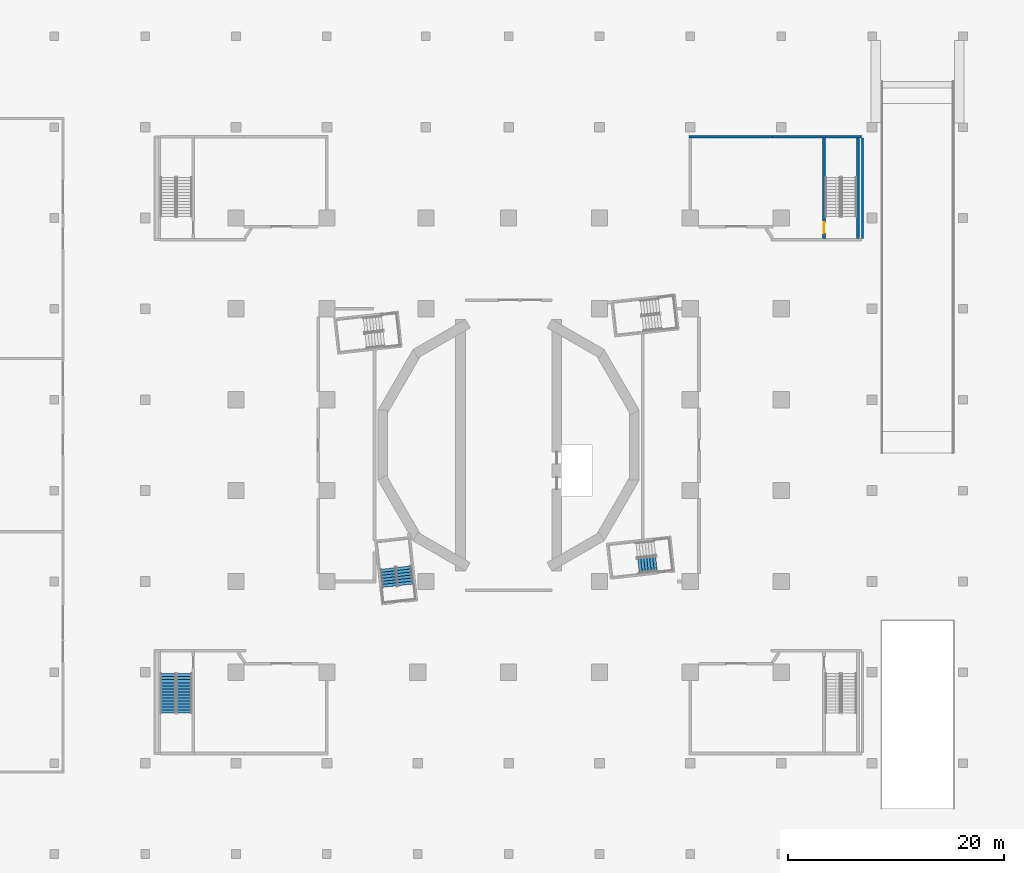
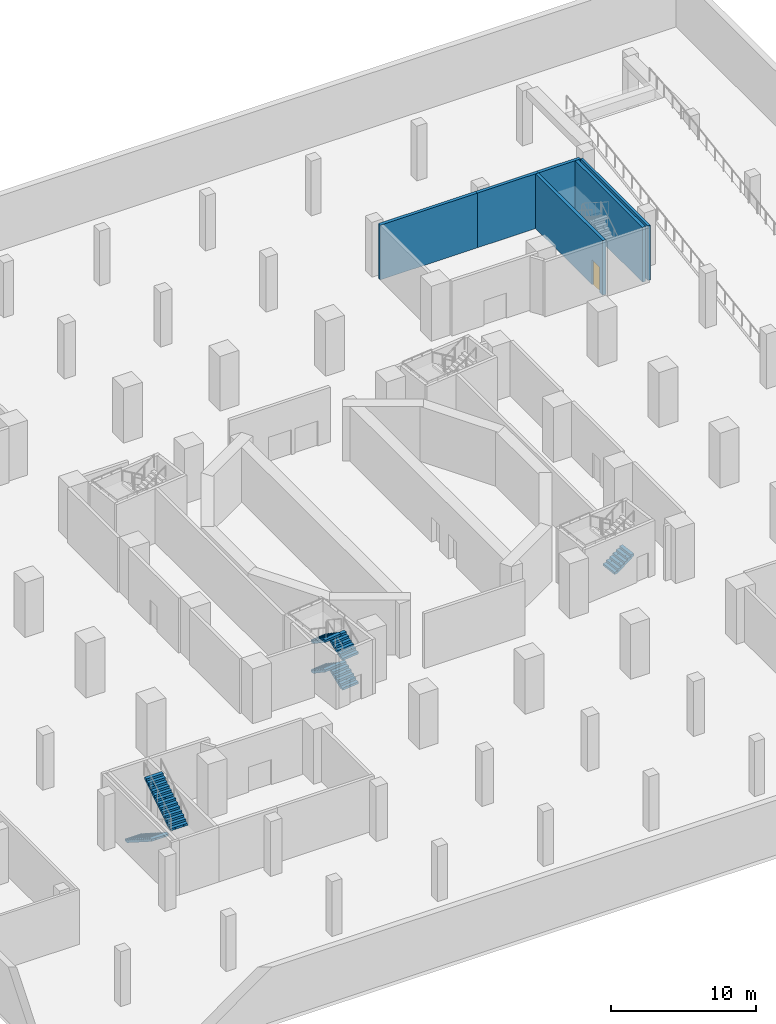
# One storey, part 10 of 20: 7 stair flights, 6 walls, 1 door, 1 opening, 3 elements without a shape of their own.
"""IFC4 building model written with IfcOpenShell, lengths in metres."""

from ifc_helpers import new_model, si_unit, direction, frame, frame_2d, origin, place, context, subcontext, project, spatial, polyline, rectangle, outline, extrude, material, layer, layer_set, type_object, element, fill, aggregate, save


model = new_model("IFC4")

# Units and contexts
model_context = context("Model", 3, precision=1e-05, world=origin(), true_north=direction((0.0, 1.0)))
body_context = subcontext(model_context, "Body", "Model", "MODEL_VIEW")
ifc_project = project(units=[si_unit("LENGTHUNIT", "METRE"), si_unit("AREAUNIT", "SQUARE_METRE"), si_unit("VOLUMEUNIT", "CUBIC_METRE"), si_unit("PLANEANGLEUNIT", "RADIAN"), si_unit("MASSUNIT", "GRAM", prefix="KILO")], contexts=[model_context])

# Site, building, storey
site_placement = place(None, origin())
site = spatial("IfcSite", under=ifc_project, at=site_placement, CompositionType="ELEMENT")
building_placement = place(site_placement, origin())
building = spatial("IfcBuilding", under=site, at=building_placement, Name="Cantera Rosa Tower", CompositionType="ELEMENT")
storey_placement = place(building_placement, frame((0.0, 0.0, -5.0)))
storey = spatial("IfcBuildingStorey", under=building, at=storey_placement, Name="B1", CompositionType="ELEMENT", Elevation=-5.0)

# Walls
ifc_material_1 = material(Name="Masonry blockwork", Category="masonry")
ifc_layer_1 = layer(ifc_material_1, 0.199951171875)
ifc_layer_set_1 = layer_set([ifc_layer_1], Name="Blockwork partition 200")
wall_type_1 = type_object("IfcWallType", Name="Blockwork partition 200", PredefinedType="PARTITIONING", material=ifc_layer_set_1)
wall_1_placement = place(storey_placement, frame((32.699951171875, 19.10009765625, 0.0), z_axis=(0.0, 0.0, 1.0), x_axis=(0.0, 1.0, 0.0)))
element("IfcWall", 1, at=wall_1_placement, inside=storey, type_object=wall_type_1, Name="Partition B1-33", PredefinedType="PARTITIONING", context=body_context, shape_type="SweptSolid", body=[
    extrude(rectangle(XDim=9.2998046875, YDim=0.199951171875, at=frame_2d((4.64990234375, 0.0))), origin(), (0.0, 0.0, 1.0), 4.60009765625),
])
ifc_material_2 = material(Name="Concrete C50/60", Category="concrete")
ifc_layer_2 = layer(ifc_material_2, 0.25)
ifc_layer_set_2 = layer_set([ifc_layer_2], Name="External stair wall 250")
wall_type_2 = type_object("IfcWallType", Name="External stair wall 250", PredefinedType="SOLIDWALL", material=ifc_layer_set_2)
wall_2_placement = place(storey_placement, frame((29.27490234375, 28.5, 0.0), z_axis=(0.0, 0.0, 1.0), x_axis=(1.0, 0.0, 0.0)))
element("IfcWall", 2, at=wall_2_placement, inside=storey, type_object=wall_type_2, Name="Stair wall B1-24", PredefinedType="SOLIDWALL", context=body_context, shape_type="SweptSolid", body=[
    extrude(rectangle(XDim=3.3251953125, YDim=0.25, at=frame_2d((1.66259765625, 0.0))), origin(), (0.0, 0.0, 1.0), 4.60009765625),
])
ifc_material_3 = material(Name="Masonry blockwork", Category="masonry")
ifc_layer_3 = layer(ifc_material_3, 0.25)
ifc_layer_set_3 = layer_set([ifc_layer_3], Name="Fire-rated external wall 250")
wall_type_3 = type_object("IfcWallType", Name="Fire-rated external wall 250", PredefinedType="PARTITIONING", material=ifc_layer_set_3)
wall_3_placement = place(storey_placement, frame((16.675048828125, 28.5, 0.0), z_axis=(0.0, 0.0, 1.0), x_axis=(1.0, 0.0, 0.0)))
element("IfcWall", 3, at=wall_3_placement, inside=storey, type_object=wall_type_3, Name="Fire wall B1-22", PredefinedType="PARTITIONING", context=body_context, shape_type="SweptSolid", body=[
    extrude(rectangle(XDim=7.724853515625, YDim=0.25, at=frame_2d((3.8623046875, 0.0))), origin(), (0.0, 0.0, 1.0), 4.60009765625),
])
wall_4_placement = place(storey_placement, frame((24.39990234375, 28.5, 0.0), z_axis=(0.0, 0.0, 1.0), x_axis=(1.0, 0.0, 0.0)))
element("IfcWall", 4, at=wall_4_placement, inside=storey, type_object=wall_type_3, Name="Fire wall B1-23", PredefinedType="PARTITIONING", context=body_context, shape_type="SweptSolid", body=[
    extrude(rectangle(XDim=4.875, YDim=0.25, at=frame_2d((2.4375, 0.0))), origin(), (0.0, 0.0, 1.0), 4.60009765625),
])
ifc_material_4 = material(Name="Concrete C50/60", Category="concrete")
ifc_layer_4 = layer(ifc_material_4, 0.25)
ifc_layer_set_4 = layer_set([ifc_layer_4], Name="RC stair wall 250 C50/60")
wall_type_4 = type_object("IfcWallType", Name="RC stair wall 250", PredefinedType="SOLIDWALL", material=ifc_layer_set_4)
wall_5_placement = place(storey_placement, frame((32.300048828125, 19.125, 0.0), z_axis=(0.0, 0.0, 1.0), x_axis=(0.0, 1.0, 0.0)))
element("IfcWall", 5, at=wall_5_placement, inside=storey, type_object=wall_type_4, Name="Stair wall B1-17", PredefinedType="SOLIDWALL", context=body_context, shape_type="SweptSolid", body=[
    extrude(rectangle(XDim=9.25, YDim=0.25, at=frame_2d((4.625, 0.0))), origin(), (0.0, 0.0, 1.0), 4.60009765625),
])

# Wall, opening, door
wall_6_placement = place(storey_placement, frame((29.14990234375, 19.125, 0.0), z_axis=(0.0, 0.0, 1.0), x_axis=(0.0, 1.0, 0.0)))
wall_6 = element("IfcWall", 6, at=wall_6_placement, inside=storey, type_object=wall_type_4, Name="Stair wall B1-26", PredefinedType="SOLIDWALL", context=body_context, shape_type="SweptSolid", body=[
    extrude(rectangle(XDim=9.25, YDim=0.25, at=frame_2d((4.625, 0.0))), origin(), (0.0, 0.0, 1.0), 4.60009765625),
])
opening_placement = place(wall_6_placement, frame((0.47509765625, 0.0, 0.0)))
opening = element("IfcOpeningElement", 7, at=opening_placement, cuts=wall_6, Name="Opening B1-002", PredefinedType="OPENING", context=body_context, shape_type="SweptSolid", body=[
    extrude(rectangle(XDim=1.0, YDim=2.10009765625, at=frame_2d((0.5, 1.050048828125))), frame((0.0, 0.135009765625, 0.0), z_axis=(0.0, -1.0, 0.0), x_axis=(1.0, 0.0, 0.0)), (0.0, 0.0, 1.0), 0.27001953125),
])
ifc_material_5 = material(Name="Steel S355J2 (EN 10025-2)", Category="steel")
door_type = type_object("IfcDoorType", Name="Fire door 1000x2100 EI 120", OperationType="NOTDEFINED", PredefinedType="DOOR", material=ifc_material_5)
door_placement = place(opening_placement, origin())
door = element("IfcDoor", 8, at=door_placement, inside=storey, type_object=door_type, Name="Door B1-002", OverallHeight=2.10009765625, OverallWidth=1.0, PredefinedType="DOOR", context=body_context, shape_type="SweptSolid", body=[
    extrude(rectangle(XDim=1.0, YDim=2.10009765625, at=frame_2d((0.5, 1.050048828125))), frame((0.0, 0.02490234375, 0.0), z_axis=(0.0, -1.0, 0.0), x_axis=(1.0, 0.0, 0.0)), (0.0, 0.0, 1.0), 0.050048828125),
])
fill(opening, door)

# Stair, stair flights
ifc_material_6 = material(Name="Concrete C35/45", Category="concrete")
stair_type_1 = type_object("IfcStairType", Name="EXIT STAIR 1350 DOGLEG", PredefinedType="HALF_TURN_STAIR", material=ifc_material_6)
stair_1_placement = place(storey_placement, origin())
stair_1 = element("IfcStair", 9, at=stair_1_placement, inside=storey, type_object=stair_type_1, Name="B1 ST-13", PredefinedType="HALF_TURN_STAIR")
ifc_material_7 = material(Name="Concrete C35/45", Category="concrete")
stair_flight_type_1 = type_object("IfcStairFlightType", Name="STAIR FLIGHT 1350 R28x179", PredefinedType="STRAIGHT", material=ifc_material_7)
stair_flight_1_placement = place(storey_placement, frame((-9.500244140625, -12.90869140625, 0.0), z_axis=(0.0, 0.0, 1.0), x_axis=(-0.110312549749, 0.993896947056, 0.0)))
stair_flight_1 = element("IfcStairFlight", 10, at=stair_flight_1_placement, type_object=stair_flight_type_1, Name="ST-13 flight 1", NumberOfRisers=7, NumberOfTreads=6, PredefinedType="STRAIGHT", RiserHeight=0.178571429, TreadLength=0.28, context=body_context, shape_type="SweptSolid", body=[
    extrude(outline(polyline([(0.0, 0.0), (0.0, 0.178466796875), (0.280029296875, 0.178466796875), (0.280029296875, 0.357177734375), (0.56005859375, 0.357177734375), (0.56005859375, 0.53564453125), (0.840087890625, 0.53564453125), (0.840087890625, 0.71435546875), (1.1201171875, 0.71435546875), (1.1201171875, 0.892822265625), (1.39990234375, 0.892822265625), (1.39990234375, 1.071533203125), (1.679931640625, 1.071533203125), (1.679931640625, 1.25), (1.679931640625, 0.8935546875), (0.27880859375, 0.0), (0.0, 0.0)])), frame((0.0, 0.675048828125, 0.0), z_axis=(0.0, -1.0, 0.0), x_axis=(1.0, 0.0, 0.0)), (0.0, 0.0, 1.0), 0.3359375),
    extrude(outline(polyline([(0.0, 0.0), (0.0, 0.178466796875), (0.280029296875, 0.178466796875), (0.280029296875, 0.357177734375), (0.56005859375, 0.357177734375), (0.56005859375, 0.53564453125), (0.840087890625, 0.53564453125), (0.840087890625, 0.71435546875), (1.1201171875, 0.71435546875), (1.1201171875, 0.892822265625), (1.39990234375, 0.892822265625), (1.39990234375, 1.071533203125), (1.679931640625, 1.071533203125), (1.679931640625, 1.25), (1.679931640625, 0.8935546875), (0.27880859375, 0.0), (0.0, 0.0)])), frame((0.0, 0.337158203125, 0.0), z_axis=(0.0, -1.0, 0.0), x_axis=(1.0, 0.0, 0.0)), (0.0, 0.0, 1.0), 0.3359375),
    extrude(outline(polyline([(0.0, 0.0), (0.0, 0.178466796875), (0.280029296875, 0.178466796875), (0.280029296875, 0.357177734375), (0.56005859375, 0.357177734375), (0.56005859375, 0.53564453125), (0.840087890625, 0.53564453125), (0.840087890625, 0.71435546875), (1.1201171875, 0.71435546875), (1.1201171875, 0.892822265625), (1.39990234375, 0.892822265625), (1.39990234375, 1.071533203125), (1.679931640625, 1.071533203125), (1.679931640625, 1.25), (1.679931640625, 0.8935546875), (0.27880859375, 0.0), (0.0, 0.0)])), frame((0.0, -0.000732421875, 0.0), z_axis=(0.0, -1.0, 0.0), x_axis=(1.0, 0.0, 0.0)), (0.0, 0.0, 1.0), 0.3359375),
    extrude(outline(polyline([(0.0, 0.0), (0.0, 0.178466796875), (0.280029296875, 0.178466796875), (0.280029296875, 0.357177734375), (0.56005859375, 0.357177734375), (0.56005859375, 0.53564453125), (0.840087890625, 0.53564453125), (0.840087890625, 0.71435546875), (1.1201171875, 0.71435546875), (1.1201171875, 0.892822265625), (1.39990234375, 0.892822265625), (1.39990234375, 1.071533203125), (1.679931640625, 1.071533203125), (1.679931640625, 1.25), (1.679931640625, 0.8935546875), (0.27880859375, 0.0), (0.0, 0.0)])), frame((0.0, -0.338623046875, 0.0), z_axis=(0.0, -1.0, 0.0), x_axis=(1.0, 0.0, 0.0)), (0.0, 0.0, 1.0), 0.3359375),
])
stair_flight_2_placement = place(storey_placement, frame((-11.17626953125, -11.404541015625, 1.25), z_axis=(0.0, 0.0, 1.0), x_axis=(0.110312549749, -0.993896947056, 0.0)))
stair_flight_2 = element("IfcStairFlight", 11, at=stair_flight_2_placement, type_object=stair_flight_type_1, Name="ST-13 flight 2", NumberOfRisers=7, NumberOfTreads=6, PredefinedType="STRAIGHT", RiserHeight=0.178571429, TreadLength=0.28, context=body_context, shape_type="SweptSolid", body=[
    extrude(outline(polyline([(0.0, 0.0), (0.0, 0.178466796875), (0.280029296875, 0.178466796875), (0.280029296875, 0.357177734375), (0.56005859375, 0.357177734375), (0.56005859375, 0.53564453125), (0.840087890625, 0.53564453125), (0.840087890625, 0.71435546875), (1.1201171875, 0.71435546875), (1.1201171875, 0.892822265625), (1.39990234375, 0.892822265625), (1.39990234375, 1.071533203125), (1.679931640625, 1.071533203125), (1.679931640625, 1.25), (1.679931640625, 0.8935546875), (0.27880859375, 0.0), (0.0, 0.0)])), frame((0.0, 0.675048828125, 0.0), z_axis=(0.0, -1.0, 0.0), x_axis=(1.0, 0.0, 0.0)), (0.0, 0.0, 1.0), 0.3359375),
    extrude(outline(polyline([(0.0, 0.0), (0.0, 0.178466796875), (0.280029296875, 0.178466796875), (0.280029296875, 0.357177734375), (0.56005859375, 0.357177734375), (0.56005859375, 0.53564453125), (0.840087890625, 0.53564453125), (0.840087890625, 0.71435546875), (1.1201171875, 0.71435546875), (1.1201171875, 0.892822265625), (1.39990234375, 0.892822265625), (1.39990234375, 1.071533203125), (1.679931640625, 1.071533203125), (1.679931640625, 1.25), (1.679931640625, 0.8935546875), (0.27880859375, 0.0), (0.0, 0.0)])), frame((0.0, 0.337158203125, 0.0), z_axis=(0.0, -1.0, 0.0), x_axis=(1.0, 0.0, 0.0)), (0.0, 0.0, 1.0), 0.3359375),
    extrude(outline(polyline([(0.0, 0.0), (0.0, 0.178466796875), (0.280029296875, 0.178466796875), (0.280029296875, 0.357177734375), (0.56005859375, 0.357177734375), (0.56005859375, 0.53564453125), (0.840087890625, 0.53564453125), (0.840087890625, 0.71435546875), (1.1201171875, 0.71435546875), (1.1201171875, 0.892822265625), (1.39990234375, 0.892822265625), (1.39990234375, 1.071533203125), (1.679931640625, 1.071533203125), (1.679931640625, 1.25), (1.679931640625, 0.8935546875), (0.27880859375, 0.0), (0.0, 0.0)])), frame((0.0, -0.000732421875, 0.0), z_axis=(0.0, -1.0, 0.0), x_axis=(1.0, 0.0, 0.0)), (0.0, 0.0, 1.0), 0.3359375),
    extrude(outline(polyline([(0.0, 0.0), (0.0, 0.178466796875), (0.280029296875, 0.178466796875), (0.280029296875, 0.357177734375), (0.56005859375, 0.357177734375), (0.56005859375, 0.53564453125), (0.840087890625, 0.53564453125), (0.840087890625, 0.71435546875), (1.1201171875, 0.71435546875), (1.1201171875, 0.892822265625), (1.39990234375, 0.892822265625), (1.39990234375, 1.071533203125), (1.679931640625, 1.071533203125), (1.679931640625, 1.25), (1.679931640625, 0.8935546875), (0.27880859375, 0.0), (0.0, 0.0)])), frame((0.0, -0.338623046875, 0.0), z_axis=(0.0, -1.0, 0.0), x_axis=(1.0, 0.0, 0.0)), (0.0, 0.0, 1.0), 0.3359375),
])
stair_flight_3_placement = place(storey_placement, frame((-9.500244140625, -12.90869140625, 2.5), z_axis=(0.0, 0.0, 1.0), x_axis=(-0.110312549749, 0.993896947056, 0.0)))
stair_flight_3 = element("IfcStairFlight", 12, at=stair_flight_3_placement, type_object=stair_flight_type_1, Name="ST-13 flight 3", NumberOfRisers=7, NumberOfTreads=6, PredefinedType="STRAIGHT", RiserHeight=0.178571429, TreadLength=0.28, context=body_context, shape_type="SweptSolid", body=[
    extrude(outline(polyline([(0.0, 0.0), (0.0, 0.178466796875), (0.280029296875, 0.178466796875), (0.280029296875, 0.357177734375), (0.56005859375, 0.357177734375), (0.56005859375, 0.53564453125), (0.840087890625, 0.53564453125), (0.840087890625, 0.71435546875), (1.1201171875, 0.71435546875), (1.1201171875, 0.892822265625), (1.39990234375, 0.892822265625), (1.39990234375, 1.071533203125), (1.679931640625, 1.071533203125), (1.679931640625, 1.25), (1.679931640625, 0.8935546875), (0.27880859375, 0.0), (0.0, 0.0)])), frame((0.0, 0.675048828125, 0.0), z_axis=(0.0, -1.0, 0.0), x_axis=(1.0, 0.0, 0.0)), (0.0, 0.0, 1.0), 0.3359375),
    extrude(outline(polyline([(0.0, 0.0), (0.0, 0.178466796875), (0.280029296875, 0.178466796875), (0.280029296875, 0.357177734375), (0.56005859375, 0.357177734375), (0.56005859375, 0.53564453125), (0.840087890625, 0.53564453125), (0.840087890625, 0.71435546875), (1.1201171875, 0.71435546875), (1.1201171875, 0.892822265625), (1.39990234375, 0.892822265625), (1.39990234375, 1.071533203125), (1.679931640625, 1.071533203125), (1.679931640625, 1.25), (1.679931640625, 0.8935546875), (0.27880859375, 0.0), (0.0, 0.0)])), frame((0.0, 0.337158203125, 0.0), z_axis=(0.0, -1.0, 0.0), x_axis=(1.0, 0.0, 0.0)), (0.0, 0.0, 1.0), 0.3359375),
    extrude(outline(polyline([(0.0, 0.0), (0.0, 0.178466796875), (0.280029296875, 0.178466796875), (0.280029296875, 0.357177734375), (0.56005859375, 0.357177734375), (0.56005859375, 0.53564453125), (0.840087890625, 0.53564453125), (0.840087890625, 0.71435546875), (1.1201171875, 0.71435546875), (1.1201171875, 0.892822265625), (1.39990234375, 0.892822265625), (1.39990234375, 1.071533203125), (1.679931640625, 1.071533203125), (1.679931640625, 1.25), (1.679931640625, 0.8935546875), (0.27880859375, 0.0), (0.0, 0.0)])), frame((0.0, -0.000732421875, 0.0), z_axis=(0.0, -1.0, 0.0), x_axis=(1.0, 0.0, 0.0)), (0.0, 0.0, 1.0), 0.3359375),
    extrude(outline(polyline([(0.0, 0.0), (0.0, 0.178466796875), (0.280029296875, 0.178466796875), (0.280029296875, 0.357177734375), (0.56005859375, 0.357177734375), (0.56005859375, 0.53564453125), (0.840087890625, 0.53564453125), (0.840087890625, 0.71435546875), (1.1201171875, 0.71435546875), (1.1201171875, 0.892822265625), (1.39990234375, 0.892822265625), (1.39990234375, 1.071533203125), (1.679931640625, 1.071533203125), (1.679931640625, 1.25), (1.679931640625, 0.8935546875), (0.27880859375, 0.0), (0.0, 0.0)])), frame((0.0, -0.338623046875, 0.0), z_axis=(0.0, -1.0, 0.0), x_axis=(1.0, 0.0, 0.0)), (0.0, 0.0, 1.0), 0.3359375),
])
stair_flight_4_placement = place(storey_placement, frame((-11.17626953125, -11.404541015625, 3.75), z_axis=(0.0, 0.0, 1.0), x_axis=(0.110312549749, -0.993896947056, 0.0)))
stair_flight_4 = element("IfcStairFlight", 13, at=stair_flight_4_placement, type_object=stair_flight_type_1, Name="ST-13 flight 4", NumberOfRisers=7, NumberOfTreads=6, PredefinedType="STRAIGHT", RiserHeight=0.178571429, TreadLength=0.28, context=body_context, shape_type="SweptSolid", body=[
    extrude(outline(polyline([(0.0, 0.0), (0.0, 0.178466796875), (0.280029296875, 0.178466796875), (0.280029296875, 0.357177734375), (0.56005859375, 0.357177734375), (0.56005859375, 0.53564453125), (0.840087890625, 0.53564453125), (0.840087890625, 0.71435546875), (1.1201171875, 0.71435546875), (1.1201171875, 0.892822265625), (1.39990234375, 0.892822265625), (1.39990234375, 1.071533203125), (1.679931640625, 1.071533203125), (1.679931640625, 1.25), (1.679931640625, 0.8935546875), (0.27880859375, 0.0), (0.0, 0.0)])), frame((0.0, 0.675048828125, 0.0), z_axis=(0.0, -1.0, 0.0), x_axis=(1.0, 0.0, 0.0)), (0.0, 0.0, 1.0), 0.3359375),
    extrude(outline(polyline([(0.0, 0.0), (0.0, 0.178466796875), (0.280029296875, 0.178466796875), (0.280029296875, 0.357177734375), (0.56005859375, 0.357177734375), (0.56005859375, 0.53564453125), (0.840087890625, 0.53564453125), (0.840087890625, 0.71435546875), (1.1201171875, 0.71435546875), (1.1201171875, 0.892822265625), (1.39990234375, 0.892822265625), (1.39990234375, 1.071533203125), (1.679931640625, 1.071533203125), (1.679931640625, 1.25), (1.679931640625, 0.8935546875), (0.27880859375, 0.0), (0.0, 0.0)])), frame((0.0, 0.337158203125, 0.0), z_axis=(0.0, -1.0, 0.0), x_axis=(1.0, 0.0, 0.0)), (0.0, 0.0, 1.0), 0.3359375),
    extrude(outline(polyline([(0.0, 0.0), (0.0, 0.178466796875), (0.280029296875, 0.178466796875), (0.280029296875, 0.357177734375), (0.56005859375, 0.357177734375), (0.56005859375, 0.53564453125), (0.840087890625, 0.53564453125), (0.840087890625, 0.71435546875), (1.1201171875, 0.71435546875), (1.1201171875, 0.892822265625), (1.39990234375, 0.892822265625), (1.39990234375, 1.071533203125), (1.679931640625, 1.071533203125), (1.679931640625, 1.25), (1.679931640625, 0.8935546875), (0.27880859375, 0.0), (0.0, 0.0)])), frame((0.0, -0.000732421875, 0.0), z_axis=(0.0, -1.0, 0.0), x_axis=(1.0, 0.0, 0.0)), (0.0, 0.0, 1.0), 0.3359375),
    extrude(outline(polyline([(0.0, 0.0), (0.0, 0.178466796875), (0.280029296875, 0.178466796875), (0.280029296875, 0.357177734375), (0.56005859375, 0.357177734375), (0.56005859375, 0.53564453125), (0.840087890625, 0.53564453125), (0.840087890625, 0.71435546875), (1.1201171875, 0.71435546875), (1.1201171875, 0.892822265625), (1.39990234375, 0.892822265625), (1.39990234375, 1.071533203125), (1.679931640625, 1.071533203125), (1.679931640625, 1.25), (1.679931640625, 0.8935546875), (0.27880859375, 0.0), (0.0, 0.0)])), frame((0.0, -0.338623046875, 0.0), z_axis=(0.0, -1.0, 0.0), x_axis=(1.0, 0.0, 0.0)), (0.0, 0.0, 1.0), 0.3359375),
])
aggregate(stair_1, [stair_flight_1, stair_flight_2, stair_flight_3, stair_flight_4])

# Stair, stair flight
stair_2_placement = place(storey_placement, origin())
stair_2 = element("IfcStair", 14, at=stair_2_placement, inside=storey, type_object=stair_type_1, Name="B1 ST-14", PredefinedType="HALF_TURN_STAIR")
stair_flight_5_placement = place(storey_placement, frame((12.00439453125, -11.17626953125, 1.25), z_axis=(0.0, 0.0, 1.0), x_axis=(0.993896947056, 0.110312549749, 0.0)))
stair_flight_5 = element("IfcStairFlight", 15, at=stair_flight_5_placement, type_object=stair_flight_type_1, Name="ST-14 flight 2", NumberOfRisers=7, NumberOfTreads=6, PredefinedType="STRAIGHT", RiserHeight=0.178571429, TreadLength=0.28, context=body_context, shape_type="SweptSolid", body=[
    extrude(outline(polyline([(0.0, 0.0), (0.0, 0.178466796875), (0.280029296875, 0.178466796875), (0.280029296875, 0.357177734375), (0.56005859375, 0.357177734375), (0.56005859375, 0.53564453125), (0.840087890625, 0.53564453125), (0.840087890625, 0.71435546875), (1.1201171875, 0.71435546875), (1.1201171875, 0.892822265625), (1.39990234375, 0.892822265625), (1.39990234375, 1.071533203125), (1.679931640625, 1.071533203125), (1.679931640625, 1.25), (1.679931640625, 0.8935546875), (0.27880859375, 0.0), (0.0, 0.0)])), frame((0.0, 0.675048828125, 0.0), z_axis=(0.0, -1.0, 0.0), x_axis=(1.0, 0.0, 0.0)), (0.0, 0.0, 1.0), 0.3359375),
    extrude(outline(polyline([(0.0, 0.0), (0.0, 0.178466796875), (0.280029296875, 0.178466796875), (0.280029296875, 0.357177734375), (0.56005859375, 0.357177734375), (0.56005859375, 0.53564453125), (0.840087890625, 0.53564453125), (0.840087890625, 0.71435546875), (1.1201171875, 0.71435546875), (1.1201171875, 0.892822265625), (1.39990234375, 0.892822265625), (1.39990234375, 1.071533203125), (1.679931640625, 1.071533203125), (1.679931640625, 1.25), (1.679931640625, 0.8935546875), (0.27880859375, 0.0), (0.0, 0.0)])), frame((0.0, 0.337158203125, 0.0), z_axis=(0.0, -1.0, 0.0), x_axis=(1.0, 0.0, 0.0)), (0.0, 0.0, 1.0), 0.3359375),
    extrude(outline(polyline([(0.0, 0.0), (0.0, 0.178466796875), (0.280029296875, 0.178466796875), (0.280029296875, 0.357177734375), (0.56005859375, 0.357177734375), (0.56005859375, 0.53564453125), (0.840087890625, 0.53564453125), (0.840087890625, 0.71435546875), (1.1201171875, 0.71435546875), (1.1201171875, 0.892822265625), (1.39990234375, 0.892822265625), (1.39990234375, 1.071533203125), (1.679931640625, 1.071533203125), (1.679931640625, 1.25), (1.679931640625, 0.8935546875), (0.27880859375, 0.0), (0.0, 0.0)])), frame((0.0, -0.000732421875, 0.0), z_axis=(0.0, -1.0, 0.0), x_axis=(1.0, 0.0, 0.0)), (0.0, 0.0, 1.0), 0.3359375),
    extrude(outline(polyline([(0.0, 0.0), (0.0, 0.178466796875), (0.280029296875, 0.178466796875), (0.280029296875, 0.357177734375), (0.56005859375, 0.357177734375), (0.56005859375, 0.53564453125), (0.840087890625, 0.53564453125), (0.840087890625, 0.71435546875), (1.1201171875, 0.71435546875), (1.1201171875, 0.892822265625), (1.39990234375, 0.892822265625), (1.39990234375, 1.071533203125), (1.679931640625, 1.071533203125), (1.679931640625, 1.25), (1.679931640625, 0.8935546875), (0.27880859375, 0.0), (0.0, 0.0)])), frame((0.0, -0.338623046875, 0.0), z_axis=(0.0, -1.0, 0.0), x_axis=(1.0, 0.0, 0.0)), (0.0, 0.0, 1.0), 0.3359375),
])
aggregate(stair_2, [stair_flight_5])

# Stair, stair flights
ifc_material_8 = material(Name="Concrete C35/45", Category="concrete")
stair_type_2 = type_object("IfcStairType", Name="Stair half-turn 1350", PredefinedType="HALF_TURN_STAIR", material=ifc_material_8)
stair_3_placement = place(storey_placement, origin())
stair_3 = element("IfcStair", 16, at=stair_3_placement, inside=storey, type_object=stair_type_2, Name="B1 ST-SW", PredefinedType="HALF_TURN_STAIR")
ifc_material_9 = material(Name="Concrete C35/45", Category="concrete")
stair_flight_type_2 = type_object("IfcStairFlightType", Name="Stair flight 1350", PredefinedType="STRAIGHT", material=ifc_material_9)
stair_flight_6_placement = place(storey_placement, frame((-31.5, -21.125, 0.0), z_axis=(0.0, 0.0, 1.0), x_axis=(0.0, -1.0, 0.0)))
stair_flight_6 = element("IfcStairFlight", 17, at=stair_flight_6_placement, type_object=stair_flight_type_2, Name="ST-SW flight 1", NumberOfRisers=14, NumberOfTreads=13, PredefinedType="STRAIGHT", RiserHeight=0.178571429, TreadLength=0.28, context=body_context, shape_type="SweptSolid", body=[
    extrude(outline(polyline([(0.0, 0.0), (0.0, 0.178466796875), (0.280029296875, 0.178466796875), (0.280029296875, 0.357177734375), (0.56005859375, 0.357177734375), (0.56005859375, 0.53564453125), (0.840087890625, 0.53564453125), (0.840087890625, 0.71435546875), (1.1201171875, 0.71435546875), (1.1201171875, 0.892822265625), (1.39990234375, 0.892822265625), (1.39990234375, 1.071533203125), (1.679931640625, 1.071533203125), (1.679931640625, 1.25), (1.9599609375, 1.25), (1.9599609375, 1.428466796875), (2.239990234375, 1.428466796875), (2.239990234375, 1.607177734375), (2.52001953125, 1.607177734375), (2.52001953125, 1.78564453125), (2.800048828125, 1.78564453125), (2.800048828125, 1.96435546875), (3.080078125, 1.96435546875), (3.080078125, 2.142822265625), (3.360107421875, 2.142822265625), (3.360107421875, 2.321533203125), (3.639892578125, 2.321533203125), (3.639892578125, 2.5), (3.639892578125, 2.1435546875), (0.27880859375, 0.0), (0.0, 0.0)])), frame((0.0, 0.675048828125, 0.0), z_axis=(0.0, -1.0, 0.0), x_axis=(1.0, 0.0, 0.0)), (0.0, 0.0, 1.0), 0.3359375),
    extrude(outline(polyline([(0.0, 0.0), (0.0, 0.178466796875), (0.280029296875, 0.178466796875), (0.280029296875, 0.357177734375), (0.56005859375, 0.357177734375), (0.56005859375, 0.53564453125), (0.840087890625, 0.53564453125), (0.840087890625, 0.71435546875), (1.1201171875, 0.71435546875), (1.1201171875, 0.892822265625), (1.39990234375, 0.892822265625), (1.39990234375, 1.071533203125), (1.679931640625, 1.071533203125), (1.679931640625, 1.25), (1.9599609375, 1.25), (1.9599609375, 1.428466796875), (2.239990234375, 1.428466796875), (2.239990234375, 1.607177734375), (2.52001953125, 1.607177734375), (2.52001953125, 1.78564453125), (2.800048828125, 1.78564453125), (2.800048828125, 1.96435546875), (3.080078125, 1.96435546875), (3.080078125, 2.142822265625), (3.360107421875, 2.142822265625), (3.360107421875, 2.321533203125), (3.639892578125, 2.321533203125), (3.639892578125, 2.5), (3.639892578125, 2.1435546875), (0.27880859375, 0.0), (0.0, 0.0)])), frame((0.0, 0.337158203125, 0.0), z_axis=(0.0, -1.0, 0.0), x_axis=(1.0, 0.0, 0.0)), (0.0, 0.0, 1.0), 0.3359375),
    extrude(outline(polyline([(0.0, 0.0), (0.0, 0.178466796875), (0.280029296875, 0.178466796875), (0.280029296875, 0.357177734375), (0.56005859375, 0.357177734375), (0.56005859375, 0.53564453125), (0.840087890625, 0.53564453125), (0.840087890625, 0.71435546875), (1.1201171875, 0.71435546875), (1.1201171875, 0.892822265625), (1.39990234375, 0.892822265625), (1.39990234375, 1.071533203125), (1.679931640625, 1.071533203125), (1.679931640625, 1.25), (1.9599609375, 1.25), (1.9599609375, 1.428466796875), (2.239990234375, 1.428466796875), (2.239990234375, 1.607177734375), (2.52001953125, 1.607177734375), (2.52001953125, 1.78564453125), (2.800048828125, 1.78564453125), (2.800048828125, 1.96435546875), (3.080078125, 1.96435546875), (3.080078125, 2.142822265625), (3.360107421875, 2.142822265625), (3.360107421875, 2.321533203125), (3.639892578125, 2.321533203125), (3.639892578125, 2.5), (3.639892578125, 2.1435546875), (0.27880859375, 0.0), (0.0, 0.0)])), frame((0.0, -0.000732421875, 0.0), z_axis=(0.0, -1.0, 0.0), x_axis=(1.0, 0.0, 0.0)), (0.0, 0.0, 1.0), 0.3359375),
    extrude(outline(polyline([(0.0, 0.0), (0.0, 0.178466796875), (0.280029296875, 0.178466796875), (0.280029296875, 0.357177734375), (0.56005859375, 0.357177734375), (0.56005859375, 0.53564453125), (0.840087890625, 0.53564453125), (0.840087890625, 0.71435546875), (1.1201171875, 0.71435546875), (1.1201171875, 0.892822265625), (1.39990234375, 0.892822265625), (1.39990234375, 1.071533203125), (1.679931640625, 1.071533203125), (1.679931640625, 1.25), (1.9599609375, 1.25), (1.9599609375, 1.428466796875), (2.239990234375, 1.428466796875), (2.239990234375, 1.607177734375), (2.52001953125, 1.607177734375), (2.52001953125, 1.78564453125), (2.800048828125, 1.78564453125), (2.800048828125, 1.96435546875), (3.080078125, 1.96435546875), (3.080078125, 2.142822265625), (3.360107421875, 2.142822265625), (3.360107421875, 2.321533203125), (3.639892578125, 2.321533203125), (3.639892578125, 2.5), (3.639892578125, 2.1435546875), (0.27880859375, 0.0), (0.0, 0.0)])), frame((0.0, -0.338623046875, 0.0), z_axis=(0.0, -1.0, 0.0), x_axis=(1.0, 0.0, 0.0)), (0.0, 0.0, 1.0), 0.3359375),
])
stair_flight_7_placement = place(storey_placement, frame((-29.949951171875, -24.764892578125, 2.5), z_axis=(0.0, 0.0, 1.0), x_axis=(0.0, 1.0, 0.0)))
stair_flight_7 = element("IfcStairFlight", 18, at=stair_flight_7_placement, type_object=stair_flight_type_2, Name="ST-SW flight 2", NumberOfRisers=14, NumberOfTreads=13, PredefinedType="STRAIGHT", RiserHeight=0.178571429, TreadLength=0.28, context=body_context, shape_type="SweptSolid", body=[
    extrude(outline(polyline([(0.0, 0.0), (0.0, 0.178466796875), (0.280029296875, 0.178466796875), (0.280029296875, 0.357177734375), (0.56005859375, 0.357177734375), (0.56005859375, 0.53564453125), (0.840087890625, 0.53564453125), (0.840087890625, 0.71435546875), (1.1201171875, 0.71435546875), (1.1201171875, 0.892822265625), (1.39990234375, 0.892822265625), (1.39990234375, 1.071533203125), (1.679931640625, 1.071533203125), (1.679931640625, 1.25), (1.9599609375, 1.25), (1.9599609375, 1.428466796875), (2.239990234375, 1.428466796875), (2.239990234375, 1.607177734375), (2.52001953125, 1.607177734375), (2.52001953125, 1.78564453125), (2.800048828125, 1.78564453125), (2.800048828125, 1.96435546875), (3.080078125, 1.96435546875), (3.080078125, 2.142822265625), (3.360107421875, 2.142822265625), (3.360107421875, 2.321533203125), (3.639892578125, 2.321533203125), (3.639892578125, 2.5), (3.639892578125, 2.1435546875), (0.27880859375, 0.0), (0.0, 0.0)])), frame((0.0, 0.675048828125, 0.0), z_axis=(0.0, -1.0, 0.0), x_axis=(1.0, 0.0, 0.0)), (0.0, 0.0, 1.0), 0.3359375),
    extrude(outline(polyline([(0.0, 0.0), (0.0, 0.178466796875), (0.280029296875, 0.178466796875), (0.280029296875, 0.357177734375), (0.56005859375, 0.357177734375), (0.56005859375, 0.53564453125), (0.840087890625, 0.53564453125), (0.840087890625, 0.71435546875), (1.1201171875, 0.71435546875), (1.1201171875, 0.892822265625), (1.39990234375, 0.892822265625), (1.39990234375, 1.071533203125), (1.679931640625, 1.071533203125), (1.679931640625, 1.25), (1.9599609375, 1.25), (1.9599609375, 1.428466796875), (2.239990234375, 1.428466796875), (2.239990234375, 1.607177734375), (2.52001953125, 1.607177734375), (2.52001953125, 1.78564453125), (2.800048828125, 1.78564453125), (2.800048828125, 1.96435546875), (3.080078125, 1.96435546875), (3.080078125, 2.142822265625), (3.360107421875, 2.142822265625), (3.360107421875, 2.321533203125), (3.639892578125, 2.321533203125), (3.639892578125, 2.5), (3.639892578125, 2.1435546875), (0.27880859375, 0.0), (0.0, 0.0)])), frame((0.0, 0.337158203125, 0.0), z_axis=(0.0, -1.0, 0.0), x_axis=(1.0, 0.0, 0.0)), (0.0, 0.0, 1.0), 0.3359375),
    extrude(outline(polyline([(0.0, 0.0), (0.0, 0.178466796875), (0.280029296875, 0.178466796875), (0.280029296875, 0.357177734375), (0.56005859375, 0.357177734375), (0.56005859375, 0.53564453125), (0.840087890625, 0.53564453125), (0.840087890625, 0.71435546875), (1.1201171875, 0.71435546875), (1.1201171875, 0.892822265625), (1.39990234375, 0.892822265625), (1.39990234375, 1.071533203125), (1.679931640625, 1.071533203125), (1.679931640625, 1.25), (1.9599609375, 1.25), (1.9599609375, 1.428466796875), (2.239990234375, 1.428466796875), (2.239990234375, 1.607177734375), (2.52001953125, 1.607177734375), (2.52001953125, 1.78564453125), (2.800048828125, 1.78564453125), (2.800048828125, 1.96435546875), (3.080078125, 1.96435546875), (3.080078125, 2.142822265625), (3.360107421875, 2.142822265625), (3.360107421875, 2.321533203125), (3.639892578125, 2.321533203125), (3.639892578125, 2.5), (3.639892578125, 2.1435546875), (0.27880859375, 0.0), (0.0, 0.0)])), frame((0.0, -0.000732421875, 0.0), z_axis=(0.0, -1.0, 0.0), x_axis=(1.0, 0.0, 0.0)), (0.0, 0.0, 1.0), 0.3359375),
    extrude(outline(polyline([(0.0, 0.0), (0.0, 0.178466796875), (0.280029296875, 0.178466796875), (0.280029296875, 0.357177734375), (0.56005859375, 0.357177734375), (0.56005859375, 0.53564453125), (0.840087890625, 0.53564453125), (0.840087890625, 0.71435546875), (1.1201171875, 0.71435546875), (1.1201171875, 0.892822265625), (1.39990234375, 0.892822265625), (1.39990234375, 1.071533203125), (1.679931640625, 1.071533203125), (1.679931640625, 1.25), (1.9599609375, 1.25), (1.9599609375, 1.428466796875), (2.239990234375, 1.428466796875), (2.239990234375, 1.607177734375), (2.52001953125, 1.607177734375), (2.52001953125, 1.78564453125), (2.800048828125, 1.78564453125), (2.800048828125, 1.96435546875), (3.080078125, 1.96435546875), (3.080078125, 2.142822265625), (3.360107421875, 2.142822265625), (3.360107421875, 2.321533203125), (3.639892578125, 2.321533203125), (3.639892578125, 2.5), (3.639892578125, 2.1435546875), (0.27880859375, 0.0), (0.0, 0.0)])), frame((0.0, -0.338623046875, 0.0), z_axis=(0.0, -1.0, 0.0), x_axis=(1.0, 0.0, 0.0)), (0.0, 0.0, 1.0), 0.3359375),
])
aggregate(stair_3, [stair_flight_6, stair_flight_7])

save(model, "model.ifc")
